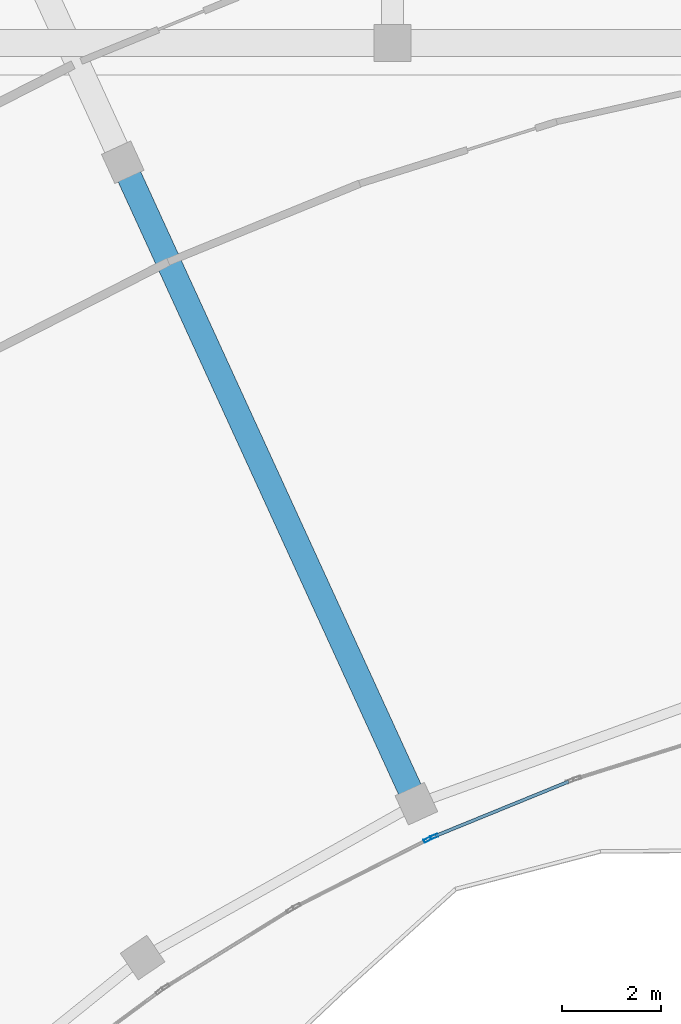
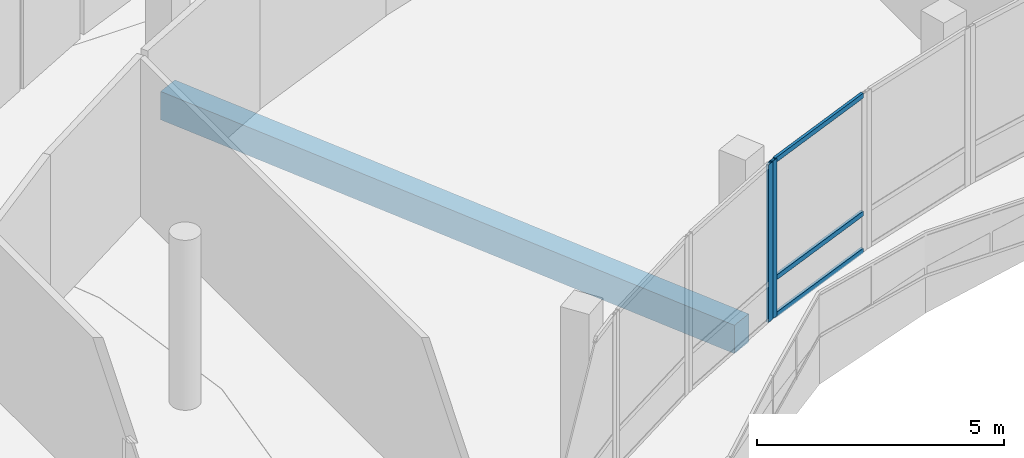
# One storey, part 67 of 184: 5 members, 1 beam, 2 elements without a shape of their own.
"""IFC4 building model written with IfcOpenShell, lengths in metres."""

from ifc_helpers import new_model, si_unit, direction, frame, origin, origin_2d, place, context, subcontext, project, spatial, rectangle, hollow_rectangle, extrude, material, material_profile, profile_set, type_object, element, aggregate, save


model = new_model("IFC4")

# Units and contexts
model_context = context("Model", 3, precision=1e-05, world=origin(), true_north=direction((0.0, 1.0)))
body_context = subcontext(model_context, "Body", "Model", "MODEL_VIEW")
ifc_project = project(units=[si_unit("LENGTHUNIT", "METRE"), si_unit("AREAUNIT", "SQUARE_METRE"), si_unit("VOLUMEUNIT", "CUBIC_METRE"), si_unit("PLANEANGLEUNIT", "RADIAN"), si_unit("MASSUNIT", "GRAM", prefix="KILO")], contexts=[model_context])

# Site, building, storey
site_placement = place(None, origin())
site = spatial("IfcSite", under=ifc_project, at=site_placement, CompositionType="ELEMENT")
building_placement = place(site_placement, origin())
building = spatial("IfcBuilding", under=site, at=building_placement, Name="Selatvlak General Hospital", CompositionType="ELEMENT")
storey_placement = place(building_placement, frame((0.0, 0.0, 15.0)))
storey = spatial("IfcBuildingStorey", under=building, at=storey_placement, Name="L03", CompositionType="ELEMENT", Elevation=15.0)

# Beam
ifc_material_1 = material(Name="Concrete C40/50", Category="concrete")
ifc_material_profile_1 = material_profile(ifc_material_1, rectangle(XDim=0.5, YDim=0.699951171875, at=origin_2d()), Name="RC-BM 500x700")
ifc_profile_set_1 = profile_set([ifc_material_profile_1], Name="Concrete C40/50")
beam_type = type_object("IfcBeamType", Name="BM-G03", PredefinedType="BEAM", material=ifc_profile_set_1)
beam_placement = place(storey_placement, frame((118.153076171875, 64.238037109375, -0.68994140625), z_axis=(0.416206307352, -0.909270207211, 0.0), x_axis=(0.909270207211, 0.416206307352, 0.0)))
element("IfcBeam", 1, at=beam_placement, inside=storey, type_object=beam_type, Name="Beam BMR-L03-1474", PredefinedType="BEAM", context=body_context, shape_type="SweptSolid", body=[
    extrude(rectangle(XDim=0.5, YDim=0.699951171875, at=origin_2d()), origin(), (0.0, 0.0, 1.0), 14.25),
])

# Curtain wall, member
ifc_material_2 = material(Name="Solar-control Low-E double glazing", Category="glass")
curtain_wall_type_1 = type_object("IfcCurtainWallType", Name="CW-CW-01", PredefinedType="USERDEFINED", material=ifc_material_2)
curtain_wall_1_placement = place(storey_placement, origin())
curtain_wall_1 = element("IfcCurtainWall", 2, at=curtain_wall_1_placement, inside=storey, type_object=curtain_wall_type_1, Name="Glazed facade curtain wall CW-L03-0409", ObjectType="UNITISED CURTAIN WALL", PredefinedType="USERDEFINED")
ifc_material_3 = material(Name="Dark anodised aluminium mullion", Category="aluminium")
ifc_material_profile_2 = material_profile(ifc_material_3, hollow_rectangle(XDim=0.06494140625, YDim=0.159912109375, WallThickness=0.00390625, at=origin_2d()), Name="AL-MUL 65x160x4")
ifc_profile_set_2 = profile_set([ifc_material_profile_2], Name="Dark anodised aluminium mullion")
member_type_1 = type_object("IfcMemberType", Name="CWM-01", PredefinedType="MULLION", material=ifc_profile_set_2)
member_1_placement = place(storey_placement, frame((124.442138671875, 50.6181640625, 0.0), z_axis=(0.0, 0.0, 1.0), x_axis=(0.377977773903, -0.925814669594, 0.0)))
member_1 = element("IfcMember", 3, at=member_1_placement, type_object=member_type_1, Name="CW-01 mullion 2", PredefinedType="MULLION", context=body_context, shape_type="SweptSolid", body=[
    extrude(hollow_rectangle(XDim=0.06494140625, YDim=0.159912109375, WallThickness=0.00390625, at=origin_2d()), origin(), (0.0, 0.0, 1.0), 3.89501953125),
])

curtain_wall_type_2 = type_object("IfcCurtainWallType", Name="CW-CW-02", PredefinedType="USERDEFINED", material=ifc_material_2)
curtain_wall_2_placement = place(storey_placement, origin())
curtain_wall_2 = element("IfcCurtainWall", 4, at=curtain_wall_2_placement, inside=storey, type_object=curtain_wall_type_2, Name="Glazed facade curtain wall CW-L03-0410", ObjectType="UNITISED CURTAIN WALL", PredefinedType="USERDEFINED")
member_2_placement = place(storey_placement, frame((124.31103515625, 50.55517578125, 0.0), z_axis=(0.0, 0.0, 1.0), x_axis=(0.453135718509, -0.89144154077, 0.0)))
member_2 = element("IfcMember", 5, at=member_2_placement, type_object=member_type_1, Name="CW-02 mullion 1", PredefinedType="MULLION", context=body_context, shape_type="SweptSolid", body=[
    extrude(hollow_rectangle(XDim=0.06494140625, YDim=0.159912109375, WallThickness=0.00390625, at=origin_2d()), origin(), (0.0, 0.0, 1.0), 3.89501953125),
])
aggregate(curtain_wall_2, [member_2])

# Member
ifc_material_profile_3 = material_profile(ifc_material_3, hollow_rectangle(XDim=0.06494140625, YDim=0.1201171875, WallThickness=0.00390625, at=origin_2d()), Name="AL-TRN 65x120x4")
ifc_profile_set_3 = profile_set([ifc_material_profile_3], Name="Dark anodised aluminium mullion")
member_type_2 = type_object("IfcMemberType", Name="CWT-01", PredefinedType="USERDEFINED", material=ifc_profile_set_3)
member_3_placement = place(storey_placement, frame((127.158935546875, 51.7275390625, 0.032470703125), z_axis=(-0.925813400573, -0.377980882215, 0.0), x_axis=(0.377980882215, -0.925813400573, 0.0)))
member_3 = element("IfcMember", 6, at=member_3_placement, type_object=member_type_2, Name="CW-01 transom 1.1", ObjectType="TRANSOM", PredefinedType="USERDEFINED", context=body_context, shape_type="SweptSolid", body=[
    extrude(hollow_rectangle(XDim=0.06494140625, YDim=0.1201171875, WallThickness=0.00390625, at=origin_2d()), origin(), (0.0, 0.0, 1.0), 2.902099609375),
])

member_4_placement = place(storey_placement, frame((127.158935546875, 51.7275390625, 0.949951171875), z_axis=(-0.925813400573, -0.377980882215, 0.0), x_axis=(0.377980882215, -0.925813400573, 0.0)))
member_4 = element("IfcMember", 7, at=member_4_placement, type_object=member_type_2, Name="CW-01 transom 1.2", ObjectType="TRANSOM", PredefinedType="USERDEFINED", context=body_context, shape_type="SweptSolid", body=[
    extrude(hollow_rectangle(XDim=0.06494140625, YDim=0.1201171875, WallThickness=0.00390625, at=origin_2d()), origin(), (0.0, 0.0, 1.0), 2.902099609375),
])

member_5_placement = place(storey_placement, frame((127.158935546875, 51.7275390625, 3.862548828125), z_axis=(-0.925813400573, -0.377980882215, 0.0), x_axis=(0.377980882215, -0.925813400573, 0.0)))
member_5 = element("IfcMember", 8, at=member_5_placement, type_object=member_type_2, Name="CW-01 transom 1.3", ObjectType="TRANSOM", PredefinedType="USERDEFINED", context=body_context, shape_type="SweptSolid", body=[
    extrude(hollow_rectangle(XDim=0.06494140625, YDim=0.1201171875, WallThickness=0.00390625, at=origin_2d()), origin(), (0.0, 0.0, 1.0), 2.902099609375),
])

aggregate(curtain_wall_1, [member_1, member_3, member_4, member_5])

save(model, "model.ifc")
